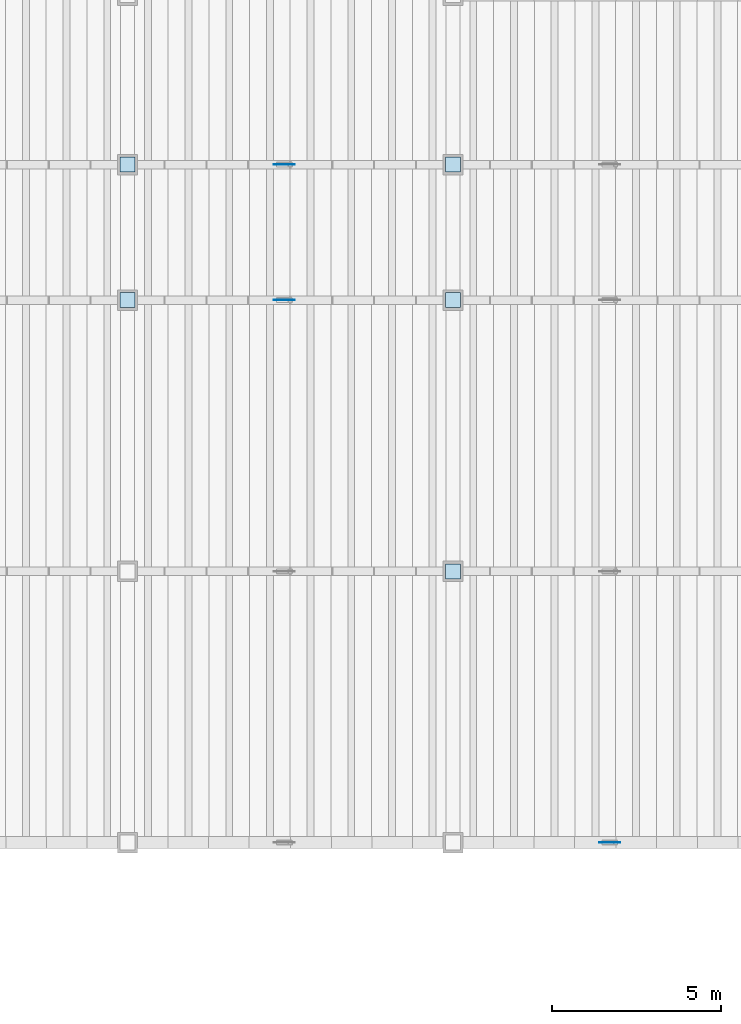
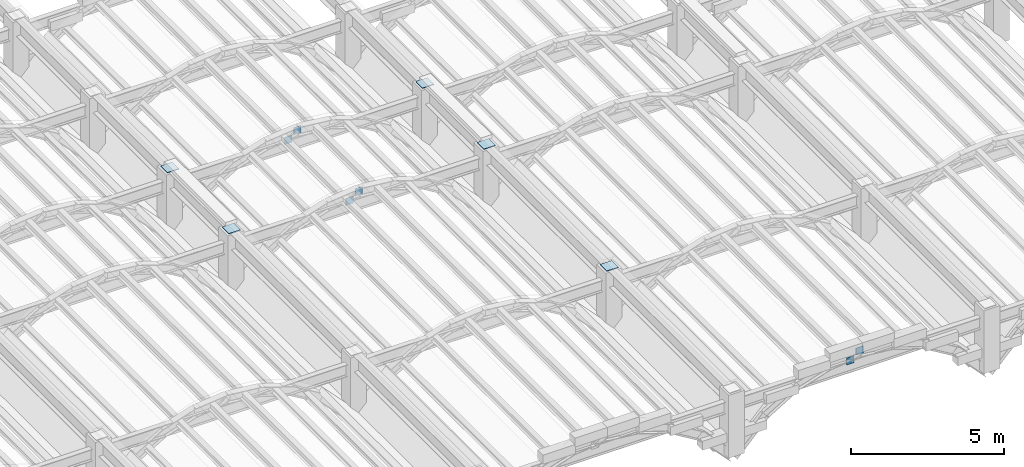
# One storey, part 63 of 70: 11 plates.
"""IFC4 building model written with IfcOpenShell, lengths in metres."""

from ifc_helpers import new_model, si_unit, direction, frame, origin, origin_2d, place, context, subcontext, project, spatial, rectangle, extrude, material, layer, layer_set, type_object, element, save


model = new_model("IFC4")

# Units and contexts
model_context = context("Model", 3, precision=1e-05, world=origin(), true_north=direction((0.0, 1.0)))
body_context = subcontext(model_context, "Body", "Model", "MODEL_VIEW")
ifc_project = project(units=[si_unit("LENGTHUNIT", "METRE"), si_unit("AREAUNIT", "SQUARE_METRE"), si_unit("VOLUMEUNIT", "CUBIC_METRE"), si_unit("PLANEANGLEUNIT", "RADIAN"), si_unit("MASSUNIT", "GRAM", prefix="KILO")], contexts=[model_context])

# Site, building, storey
site_placement = place(None, origin())
site = spatial("IfcSite", under=ifc_project, at=site_placement, CompositionType="ELEMENT")
building_placement = place(site_placement, origin())
building = spatial("IfcBuilding", under=site, at=building_placement, Name="Mavantir Sound Aquarium", CompositionType="ELEMENT")
storey_placement = place(building_placement, frame((0.0, 0.0, 27.0)))
storey = spatial("IfcBuildingStorey", under=building, at=storey_placement, Name="RF", CompositionType="ELEMENT", Elevation=27.0)

# Plates
ifc_material = material(Name="Structural Steel ASTM A572 Gr50", Category="steel")
ifc_layer_1 = layer(ifc_material, 0.02001953125, Name="Structural Steel ASTM A572 Gr50")
ifc_layer_set_1 = layer_set([ifc_layer_1], Name="Structural Steel ASTM A572 Gr50")
plate_type_1 = type_object("IfcPlateType", Name="PLT-ENDCAP-20", PredefinedType="SHEET", material=ifc_layer_set_1)
for number, where, z_axis, x_axis, name in (
    (1, (146.39990234375, 56.800048828125, -4.699951171875), (0.0, 0.0, 1.0), (1.0, 0.0, 0.0), "Ridge column cap plate 5.57"),
    (2, (146.39990234375, 60.800048828125, -4.699951171875), (0.0, 0.0, 1.0), (1.0, 0.0, 0.0), "Ridge column cap plate 5.61"),
    (3, (156.0, 48.800048828125, -4.699951171875), (0.0, 0.0, 1.0), (1.0, 0.0, 0.0), "Ridge column cap plate 6.49"),
    (4, (156.0, 56.800048828125, -4.699951171875), (0.0, 0.0, 1.0), (1.0, 0.0, 0.0), "Ridge column cap plate 6.57"),
    (5, (156.0, 60.800048828125, -4.699951171875), (0.0, 0.0, 1.0), (1.0, 0.0, 0.0), "Ridge column cap plate 6.61"),
):
    element("IfcPlate", number, at=place(storey_placement, frame(where, z_axis=z_axis, x_axis=x_axis)), inside=storey, type_object=plate_type_1, Name=name, PredefinedType="SHEET", context=body_context, shape_type="SweptSolid", body=[
        extrude(rectangle(XDim=0.43994140625, YDim=0.43994140625, at=origin_2d()), origin(), (0.0, 0.0, 1.0), 0.02001953125),
    ])
ifc_layer_2 = layer(ifc_material, 0.01611328125, Name="Structural Steel ASTM A572 Gr50")
ifc_layer_set_2 = layer_set([ifc_layer_2], Name="Structural Steel ASTM A572 Gr50")
plate_type_2 = type_object("IfcPlateType", Name="PLT-GUSSET-16", PredefinedType="SHEET", material=ifc_layer_set_2)
for number, where, z_axis, x_axis, name in (
    (6, (150.85009765625, 56.800048828125, -5.283203125), (0.0, 0.0, 1.0), (1.0, 0.0, 0.0), "Brace end gusset plate GP-01 143"),
    (7, (151.199951171875, 56.800048828125, -5.0166015625), (0.0, 0.0, 1.0), (1.0, 0.0, 0.0), "Brace end gusset plate GP-01 144"),
    (8, (150.85009765625, 60.800048828125, -5.283203125), (0.0, 0.0, 1.0), (1.0, 0.0, 0.0), "Brace end gusset plate GP-01 145"),
    (9, (151.199951171875, 60.800048828125, -5.0166015625), (0.0, 0.0, 1.0), (1.0, 0.0, 0.0), "Brace end gusset plate GP-01 146"),
    (10, (160.449951171875, 40.800048828125, -5.283203125), (0.0, 0.0, 1.0), (1.0, 0.0, 0.0), "Brace end gusset plate GP-01 151"),
    (11, (160.800048828125, 40.800048828125, -5.0166015625), (0.0, 0.0, 1.0), (1.0, 0.0, 0.0), "Brace end gusset plate GP-01 152"),
):
    element("IfcPlate", number, at=place(storey_placement, frame(where, z_axis=z_axis, x_axis=x_axis)), inside=storey, type_object=plate_type_2, Name=name, PredefinedType="SHEET", context=body_context, shape_type="SweptSolid", body=[
        extrude(rectangle(XDim=0.280029296875, YDim=0.01611328125, at=origin_2d()), origin(), (0.0, 0.0, 1.0), 0.280029296875),
    ])

save(model, "model.ifc")
